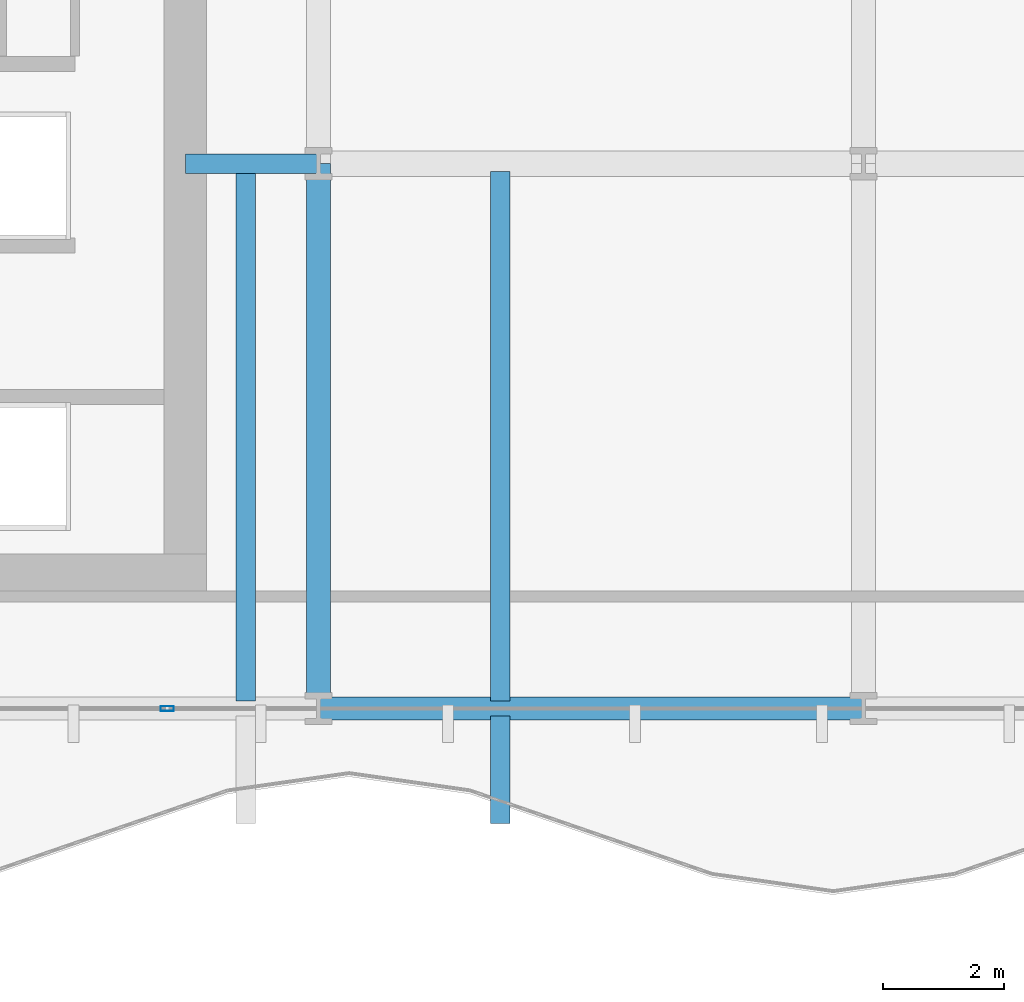
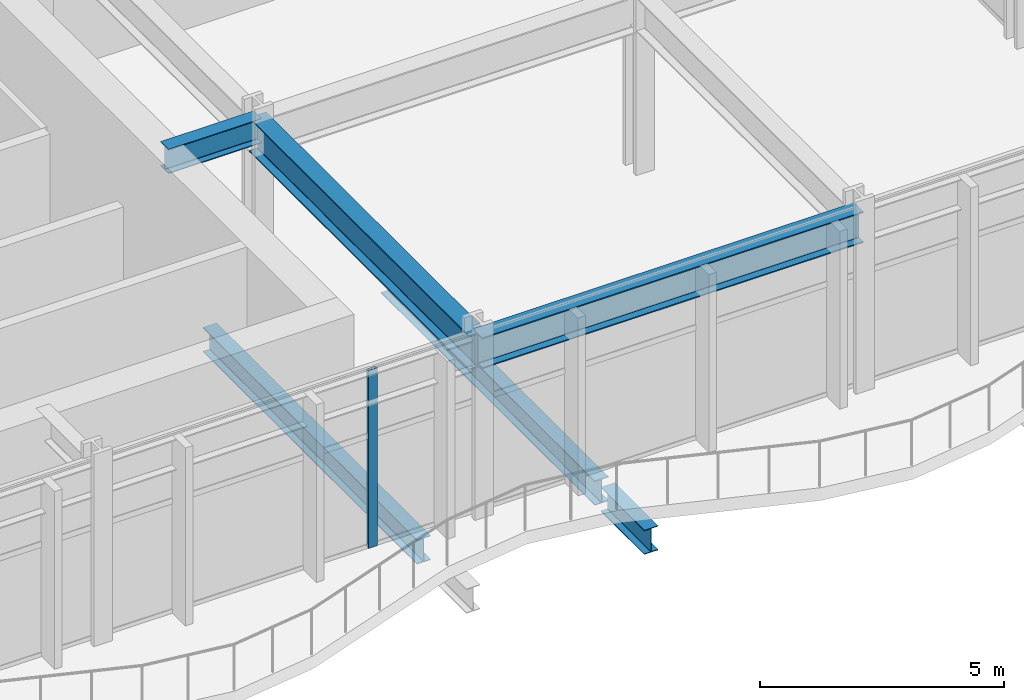
# One storey, part 8 of 31: 6 beams, 1 member, 1 element without a shape of its own.
"""IFC4 building model written with IfcOpenShell, lengths in metres."""

from ifc_helpers import new_model, si_unit, direction, frame, origin, origin_2d, place, context, subcontext, project, spatial, hollow_rectangle, i_section, extrude, material, layer, layer_set, material_profile, profile_set, type_object, element, aggregate, save


model = new_model("IFC4")

# Units and contexts
model_context = context("Model", 3, precision=1e-05, world=origin(), true_north=direction((0.0, 1.0)))
body_context = subcontext(model_context, "Body", "Model", "MODEL_VIEW")
ifc_project = project(units=[si_unit("LENGTHUNIT", "METRE"), si_unit("AREAUNIT", "SQUARE_METRE"), si_unit("VOLUMEUNIT", "CUBIC_METRE"), si_unit("PLANEANGLEUNIT", "RADIAN"), si_unit("MASSUNIT", "GRAM", prefix="KILO")], contexts=[model_context])

# Site, building, storey
site_placement = place(None, origin())
site = spatial("IfcSite", under=ifc_project, at=site_placement, CompositionType="ELEMENT")
building_placement = place(site_placement, origin())
building = spatial("IfcBuilding", under=site, at=building_placement, Name="Solvaryn Broadcast Tower", CompositionType="ELEMENT")
storey_placement = place(building_placement, frame((0.0, 0.0, 26.0)))
storey = spatial("IfcBuildingStorey", under=building, at=storey_placement, Name="L05", CompositionType="ELEMENT", Elevation=26.0)

# Beams
ifc_material_1 = material(Name="Steel ASTM A992 Grade 50", Category="steel")
ifc_material_profile_1 = material_profile(ifc_material_1, i_section(OverallWidth=0.323974609375, OverallDepth=0.611083984375, WebThickness=0.0126953125, FlangeThickness=0.01904296875, FilletRadius=0.014892578125, at=origin_2d()))
ifc_profile_set_1 = profile_set([ifc_material_profile_1], Name="Steel ASTM A992 Grade 50")
beam_type_1 = type_object("IfcBeamType", Name="BM-B1-W24X104", PredefinedType="BEAM", material=ifc_profile_set_1)
for number, where, z_axis, x_axis, name in (
    (1, (43.800048828125, 17.875, -0.62548828125), (0.0, -1.0, 0.0), (1.0, 0.0, 0.0), "L05 Terrace Back-Span Beam X43.8"),
    (2, (48.0, 17.875, -0.62548828125), (0.0, -1.0, 0.0), (1.0, 0.0, 0.0), "L05 Terrace Back-Span Beam X48.0"),
):
    element("IfcBeam", number, at=place(storey_placement, frame(where, z_axis=z_axis, x_axis=x_axis)), inside=storey, type_object=beam_type_1, Name=name, PredefinedType="BEAM", context=body_context, shape_type="SweptSolid", body=[
        extrude(i_section(OverallWidth=0.323974609375, OverallDepth=0.611083984375, WebThickness=0.0126953125, FlangeThickness=0.01904296875, FilletRadius=0.014892578125, at=origin_2d()), origin(), (0.0, 0.0, 1.0), 8.75),
    ])
beam_1_placement = place(storey_placement, frame((42.800048828125, 18.0, 4.134521484375), z_axis=(1.0, 0.0, 0.0), x_axis=(0.0, 1.0, 0.0)))
element("IfcBeam", 3, at=beam_1_placement, inside=storey, type_object=beam_type_1, Name="L05 Core Tie Beam CTE3", PredefinedType="BEAM", context=body_context, shape_type="SweptSolid", body=[
    extrude(i_section(OverallWidth=0.323974609375, OverallDepth=0.611083984375, WebThickness=0.0126953125, FlangeThickness=0.01904296875, FilletRadius=0.014892578125, at=origin_2d()), origin(), (0.0, 0.0, 1.0), 2.199951171875),
])
ifc_material_2 = material(Name="Steel ASTM A992 Grade 50", Category="steel")
ifc_material_profile_2 = material_profile(ifc_material_2, i_section(OverallWidth=0.323974609375, OverallDepth=0.611083984375, WebThickness=0.0126953125, FlangeThickness=0.01904296875, FilletRadius=0.014892578125, at=origin_2d()))
ifc_profile_set_2 = profile_set([ifc_material_profile_2], Name="Steel ASTM A992 Grade 50")
beam_type_2 = type_object("IfcBeamType", Name="BM-CANT-TER", PredefinedType="BEAM", material=ifc_profile_set_2)
beam_2_placement = place(storey_placement, frame((48.0, 8.875, -0.62548828125), z_axis=(0.0, -1.0, 0.0), x_axis=(1.0, 0.0, 0.0)))
element("IfcBeam", 4, at=beam_2_placement, inside=storey, type_object=beam_type_2, Name="L05 Terrace Cantilever Beam X48.0", PredefinedType="BEAM", context=body_context, shape_type="SweptSolid", body=[
    extrude(i_section(OverallWidth=0.323974609375, OverallDepth=0.611083984375, WebThickness=0.0126953125, FlangeThickness=0.01904296875, FilletRadius=0.014892578125, at=origin_2d()), origin(), (0.0, 0.0, 1.0), 1.77490234375),
])
ifc_material_3 = material(Name="Steel ASTM A992 Grade 50", Category="steel")
ifc_material_profile_3 = material_profile(ifc_material_3, i_section(OverallWidth=0.39990234375, OverallDepth=0.85498046875, WebThickness=0.018310546875, FlangeThickness=0.029296875, FilletRadius=0.02001953125, at=origin_2d()))
ifc_profile_set_3 = profile_set([ifc_material_profile_3], Name="Steel ASTM A992 Grade 50")
beam_type_3 = type_object("IfcBeamType", Name="BM-G3-W33X201", PredefinedType="BEAM", material=ifc_profile_set_3)
beam_3_placement = place(storey_placement, frame((45.0, 9.0, 4.012451171875), z_axis=(0.0, 1.0, 0.0), x_axis=(-1.0, 0.0, 0.0)))
element("IfcBeam", 5, at=beam_3_placement, inside=storey, type_object=beam_type_3, Name="L05 Primary Beam Y (9-18 @ X=45)", PredefinedType="BEAM", context=body_context, shape_type="SweptSolid", body=[
    extrude(i_section(OverallWidth=0.39990234375, OverallDepth=0.85498046875, WebThickness=0.018310546875, FlangeThickness=0.029296875, FilletRadius=0.02001953125, at=origin_2d()), origin(), (0.0, 0.0, 1.0), 9.0),
])
ifc_material_4 = material(Name="Steel ASTM A992 Grade 50", Category="steel")
ifc_material_profile_4 = material_profile(ifc_material_4, i_section(OverallWidth=0.381103515625, OverallDepth=0.77294921875, WebThickness=0.0166015625, FlangeThickness=0.027099609375, FilletRadius=0.01806640625, at=origin_2d()))
ifc_profile_set_4 = profile_set([ifc_material_profile_4], Name="Steel ASTM A992 Grade 50")
beam_type_4 = type_object("IfcBeamType", Name="BM-SP1-W30X173", PredefinedType="USERDEFINED", material=ifc_profile_set_4)
beam_4_placement = place(storey_placement, frame((45.0, 9.0, 4.053466796875), z_axis=(1.0, 0.0, 0.0), x_axis=(0.0, 1.0, 0.0)))
element("IfcBeam", 6, at=beam_4_placement, inside=storey, type_object=beam_type_4, Name="L05 Spandrel Beam X (45-54 @ Y=9)", ObjectType="SPANDREL", PredefinedType="USERDEFINED", context=body_context, shape_type="SweptSolid", body=[
    extrude(i_section(OverallWidth=0.381103515625, OverallDepth=0.77294921875, WebThickness=0.0166015625, FlangeThickness=0.027099609375, FilletRadius=0.01806640625, at=origin_2d()), origin(), (0.0, 0.0, 1.0), 9.0),
])

# Curtain wall, member
ifc_material_5 = material(Name="Aluminium and Terracotta Unitised Curtain Wall", Category="masonry")
ifc_layer = layer(ifc_material_5, 0.219970703125)
ifc_layer_set = layer_set([ifc_layer], Name="CW-SYS1-PODIUM")
curtain_wall_type = type_object("IfcCurtainWallType", Name="CW-SYS1-PODIUM", PredefinedType="NOTDEFINED", material=ifc_layer_set)
curtain_wall_placement = place(storey_placement, origin())
curtain_wall = element("IfcCurtainWall", 7, at=curtain_wall_placement, inside=storey, type_object=curtain_wall_type, Name="L05 Podium Curtain Wall S1", PredefinedType="NOTDEFINED")
ifc_material_6 = material(Name="Anodised Aluminium 6063-T6", Category="aluminium")
ifc_material_profile_5 = material_profile(ifc_material_6, hollow_rectangle(XDim=0.0849609375, YDim=0.219970703125, WallThickness=0.0048828125, InnerFilletRadius=0.0048828125, OuterFilletRadius=0.010009765625, at=origin_2d()))
ifc_profile_set_5 = profile_set([ifc_material_profile_5], Name="Anodised Aluminium 6063-T6")
member_type = type_object("IfcMemberType", Name="CW-MUL-220", PredefinedType="MULLION", material=ifc_profile_set_5)
member_placement = place(storey_placement, frame((42.5, 9.0, 0.0), z_axis=(0.0, 0.0, 1.0), x_axis=(0.0, -1.0, 0.0)))
member = element("IfcMember", 8, at=member_placement, type_object=member_type, Name="CWS1 mullion 2", PredefinedType="MULLION", context=body_context, shape_type="SweptSolid", body=[
    extrude(hollow_rectangle(XDim=0.0849609375, YDim=0.219970703125, WallThickness=0.0048828125, InnerFilletRadius=0.0048828125, OuterFilletRadius=0.010009765625, at=origin_2d()), origin(), (0.0, 0.0, 1.0), 4.43994140625),
])
aggregate(curtain_wall, [member])

save(model, "model.ifc")
